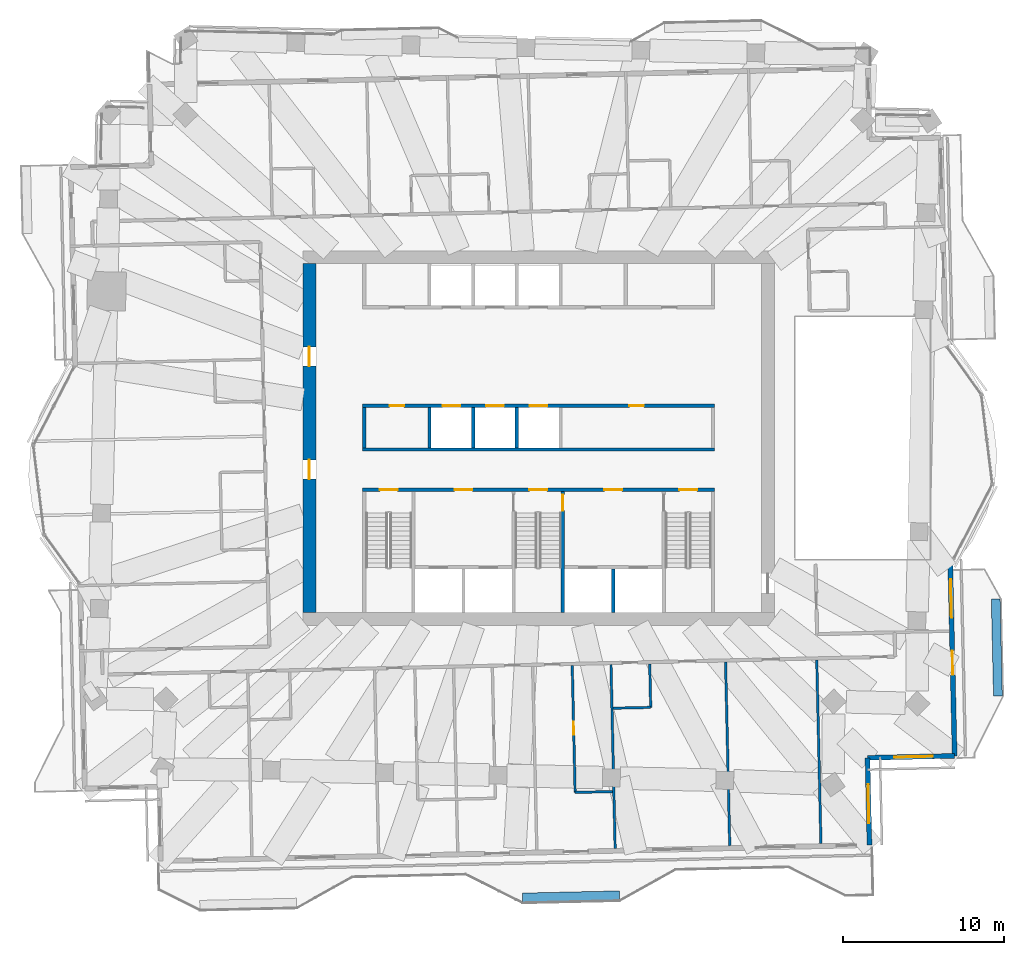
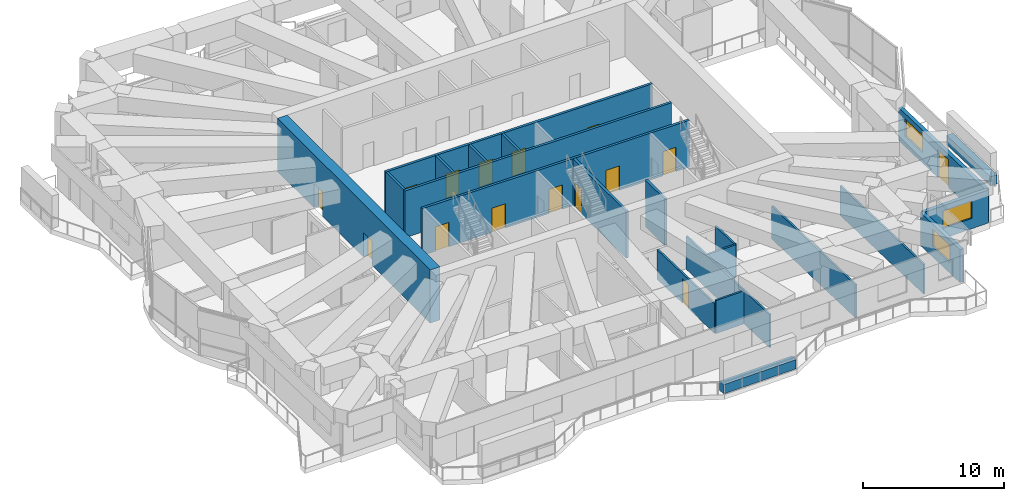
# One storey, part 11 of 19: 22 walls, 15 doors, 3 windows, 18 openings.
"""IFC4 building model written with IfcOpenShell, lengths in metres."""

from ifc_helpers import new_model, si_unit, direction, frame, frame_2d, origin, place, context, subcontext, project, spatial, rectangle, extrude, material, layer, layer_set, type_object, element, fill, save


model = new_model("IFC4")

# Units and contexts
model_context = context("Model", 3, precision=1e-05, world=origin(), true_north=direction((0.0, 1.0)))
body_context = subcontext(model_context, "Body", "Model", "MODEL_VIEW")
ifc_project = project(units=[si_unit("LENGTHUNIT", "METRE"), si_unit("AREAUNIT", "SQUARE_METRE"), si_unit("VOLUMEUNIT", "CUBIC_METRE"), si_unit("PLANEANGLEUNIT", "RADIAN"), si_unit("MASSUNIT", "GRAM", prefix="KILO")], contexts=[model_context])

# Site, building, storey
site_placement = place(None, origin())
site = spatial("IfcSite", under=ifc_project, at=site_placement, CompositionType="ELEMENT")
building_placement = place(site_placement, origin())
building = spatial("IfcBuilding", under=site, at=building_placement, Name="Mangrove Gate Tower", CompositionType="ELEMENT")
storey_placement = place(building_placement, frame((0.0, 0.0, 226.5)))
storey = spatial("IfcBuildingStorey", under=building, at=storey_placement, Name="L57", CompositionType="ELEMENT", Elevation=226.5)

# Walls
ifc_material_1 = material(Name="Concrete C32/40", Category="concrete")
ifc_layer_1 = layer(ifc_material_1, 0.199951171875)
ifc_layer_set_1 = layer_set([ifc_layer_1], Name="Core room wall 200 C32/40")
wall_type_1 = type_object("IfcWallType", Name="Core room wall 200 C32/40", PredefinedType="STANDARD", material=ifc_layer_set_1)
wall_1_placement = place(storey_placement, frame((-10.800048828125, -0.60009765625, 0.0), z_axis=(0.0, 0.0, 1.0), x_axis=(0.0, 1.0, 0.0)))
element("IfcWall", 1, at=wall_1_placement, inside=storey, type_object=wall_type_1, Name="WALL-L57-CORE-19", PredefinedType="STANDARD", context=body_context, shape_type="SweptSolid", body=[
    extrude(rectangle(XDim=2.5, YDim=0.199951171875, at=frame_2d((1.25, 0.0))), origin(), (0.0, 0.0, 1.0), 4.050048828125),
])
ifc_material_2 = material(Name="Concrete C60/75", Category="concrete")
ifc_layer_2 = layer(ifc_material_2, 0.199951171875)
ifc_layer_set_2 = layer_set([ifc_layer_2], Name="Core shaft wall 200 C60/75")
wall_type_2 = type_object("IfcWallType", Name="Core shaft wall 200 C60/75", PredefinedType="SHEAR", material=ifc_layer_set_2)
wall_2_placement = place(storey_placement, frame((-10.89990234375, -0.699951171875, 0.0), z_axis=(0.0, 0.0, 1.0), x_axis=(1.0, 0.0, 0.0)))
element("IfcWall", 2, at=wall_2_placement, inside=storey, type_object=wall_type_2, Name="WALL-L57-CORE-6", PredefinedType="SHEAR", context=body_context, shape_type="SweptSolid", body=[
    extrude(rectangle(XDim=21.7998046875, YDim=0.199951171875, at=frame_2d((10.89990234375, 0.0))), origin(), (0.0, 0.0, 1.0), 4.050048828125),
])

# Wall, openings, doors
wall_3_placement = place(storey_placement, frame((-10.89990234375, 2.0, 0.0), z_axis=(0.0, 0.0, 1.0), x_axis=(1.0, 0.0, 0.0)))
wall_3 = element("IfcWall", 3, at=wall_3_placement, inside=storey, type_object=wall_type_2, Name="WALL-L57-CORE-7", PredefinedType="SHEAR", context=body_context, shape_type="SweptSolid", body=[
    extrude(rectangle(XDim=21.7998046875, YDim=0.199951171875, at=frame_2d((10.89990234375, 0.0))), origin(), (0.0, 0.0, 1.0), 4.050048828125),
])
opening_1_placement = place(wall_3_placement, frame((4.949951171875, 0.0, 0.0)))
opening_1 = element("IfcOpeningElement", 4, at=opening_1_placement, cuts=wall_3, Name="Opening LD", PredefinedType="OPENING", context=body_context, shape_type="SweptSolid", body=[
    extrude(rectangle(XDim=1.10009765625, YDim=2.10009765625, at=frame_2d((0.550048828125, 1.050048828125))), frame((0.0, 0.10986328125, 0.0), z_axis=(0.0, -1.0, 0.0), x_axis=(1.0, 0.0, 0.0)), (0.0, 0.0, 1.0), 0.219970703125),
])
opening_2_placement = place(wall_3_placement, frame((7.64990234375, 0.0, 0.0)))
opening_2 = element("IfcOpeningElement", 5, at=opening_2_placement, cuts=wall_3, Name="Opening LD", PredefinedType="OPENING", context=body_context, shape_type="SweptSolid", body=[
    extrude(rectangle(XDim=1.10009765625, YDim=2.10009765625, at=frame_2d((0.550048828125, 1.050048828125))), frame((0.0, 0.10986328125, 0.0), z_axis=(0.0, -1.0, 0.0), x_axis=(1.0, 0.0, 0.0)), (0.0, 0.0, 1.0), 0.219970703125),
])
opening_3_placement = place(wall_3_placement, frame((10.35009765625, 0.0, 0.0)))
opening_3 = element("IfcOpeningElement", 6, at=opening_3_placement, cuts=wall_3, Name="Opening LD", PredefinedType="OPENING", context=body_context, shape_type="SweptSolid", body=[
    extrude(rectangle(XDim=1.10009765625, YDim=2.10009765625, at=frame_2d((0.550048828125, 1.050048828125))), frame((0.0, 0.10986328125, 0.0), z_axis=(0.0, -1.0, 0.0), x_axis=(1.0, 0.0, 0.0)), (0.0, 0.0, 1.0), 0.219970703125),
])
opening_4_placement = place(wall_3_placement, frame((1.675048828125, 0.0, 0.0)))
opening_4 = element("IfcOpeningElement", 7, at=opening_4_placement, cuts=wall_3, Name="Opening RD", PredefinedType="OPENING", context=body_context, shape_type="SweptSolid", body=[
    extrude(rectangle(XDim=0.89990234375, YDim=2.10009765625, at=frame_2d((0.449951171875, 1.050048828125))), frame((0.0, 0.10986328125, 0.0), z_axis=(0.0, -1.0, 0.0), x_axis=(1.0, 0.0, 0.0)), (0.0, 0.0, 1.0), 0.219970703125),
])
opening_5_placement = place(wall_3_placement, frame((16.52490234375, 0.0, 0.0)))
opening_5 = element("IfcOpeningElement", 8, at=opening_5_placement, cuts=wall_3, Name="Opening KD", PredefinedType="OPENING", context=body_context, shape_type="SweptSolid", body=[
    extrude(rectangle(XDim=0.89990234375, YDim=2.10009765625, at=frame_2d((0.449951171875, 1.050048828125))), frame((0.0, 0.10986328125, 0.0), z_axis=(0.0, -1.0, 0.0), x_axis=(1.0, 0.0, 0.0)), (0.0, 0.0, 1.0), 0.219970703125),
])
ifc_material_3 = material(Name="Fire-rated steel door set", Category="steel")
door_type_1 = type_object("IfcDoorType", Name="Core room door FD30S 900x2100", OperationType="SINGLE_SWING_RIGHT", PredefinedType="DOOR", material=ifc_material_3)
door_1_placement = place(opening_5_placement, origin())
door_1 = element("IfcDoor", 9, at=door_1_placement, inside=storey, type_object=door_type_1, Name="Core room door Linen store", OperationType="SINGLE_SWING_RIGHT", OverallHeight=2.10009765625, OverallWidth=0.89990234375, PredefinedType="DOOR", context=body_context, shape_type="SweptSolid", body=[
    extrude(rectangle(XDim=0.89990234375, YDim=2.10009765625, at=frame_2d((0.449951171875, 1.050048828125))), frame((0.0, 0.02490234375, 0.0), z_axis=(0.0, -1.0, 0.0), x_axis=(1.0, 0.0, 0.0)), (0.0, 0.0, 1.0), 0.050048828125),
])
fill(opening_5, door_1)
ifc_material_4 = material(Name="Stainless steel 316", Category="steel")
door_type_2 = type_object("IfcDoorType", Name="Lift landing door 1100x2100", OperationType="SLIDING_TO_LEFT", PredefinedType="DOOR", material=ifc_material_4)
door_2_placement = place(opening_1_placement, origin())
door_2 = element("IfcDoor", 10, at=door_2_placement, inside=storey, type_object=door_type_2, Name="Landing door LD H01", OperationType="SLIDING_TO_LEFT", OverallHeight=2.10009765625, OverallWidth=1.10009765625, PredefinedType="DOOR", context=body_context, shape_type="SweptSolid", body=[
    extrude(rectangle(XDim=1.10009765625, YDim=2.10009765625, at=frame_2d((0.550048828125, 1.050048828125))), frame((0.0, 0.02490234375, 0.0), z_axis=(0.0, -1.0, 0.0), x_axis=(1.0, 0.0, 0.0)), (0.0, 0.0, 1.0), 0.050048828125),
])
fill(opening_1, door_2)
door_3_placement = place(opening_2_placement, origin())
door_3 = element("IfcDoor", 11, at=door_3_placement, inside=storey, type_object=door_type_2, Name="Landing door LD H02", OperationType="SLIDING_TO_LEFT", OverallHeight=2.10009765625, OverallWidth=1.10009765625, PredefinedType="DOOR", context=body_context, shape_type="SweptSolid", body=[
    extrude(rectangle(XDim=1.10009765625, YDim=2.10009765625, at=frame_2d((0.550048828125, 1.050048828125))), frame((0.0, 0.02490234375, 0.0), z_axis=(0.0, -1.0, 0.0), x_axis=(1.0, 0.0, 0.0)), (0.0, 0.0, 1.0), 0.050048828125),
])
fill(opening_2, door_3)
door_4_placement = place(opening_3_placement, origin())
door_4 = element("IfcDoor", 12, at=door_4_placement, inside=storey, type_object=door_type_2, Name="Landing door LD H03", OperationType="SLIDING_TO_LEFT", OverallHeight=2.10009765625, OverallWidth=1.10009765625, PredefinedType="DOOR", context=body_context, shape_type="SweptSolid", body=[
    extrude(rectangle(XDim=1.10009765625, YDim=2.10009765625, at=frame_2d((0.550048828125, 1.050048828125))), frame((0.0, 0.02490234375, 0.0), z_axis=(0.0, -1.0, 0.0), x_axis=(1.0, 0.0, 0.0)), (0.0, 0.0, 1.0), 0.050048828125),
])
fill(opening_3, door_4)
ifc_material_5 = material(Name="Fire-rated steel door set", Category="steel")
door_type_3 = type_object("IfcDoorType", Name="Riser door FD30S 900x2100", OperationType="SINGLE_SWING_LEFT", PredefinedType="DOOR", material=ifc_material_5)
door_5_placement = place(opening_4_placement, origin())
door_5 = element("IfcDoor", 13, at=door_5_placement, inside=storey, type_object=door_type_3, Name="Riser door Electrical room", OperationType="SINGLE_SWING_LEFT", OverallHeight=2.10009765625, OverallWidth=0.89990234375, PredefinedType="DOOR", context=body_context, shape_type="SweptSolid", body=[
    extrude(rectangle(XDim=0.89990234375, YDim=2.10009765625, at=frame_2d((0.449951171875, 1.050048828125))), frame((0.0, 0.02490234375, 0.0), z_axis=(0.0, -1.0, 0.0), x_axis=(1.0, 0.0, 0.0)), (0.0, 0.0, 1.0), 0.050048828125),
])
fill(opening_4, door_5)

# Walls
wall_4_placement = place(storey_placement, frame((4.625, -10.800048828125, 0.0), z_axis=(0.0, 0.0, 1.0), x_axis=(0.0, 1.0, 0.0)))
element("IfcWall", 14, at=wall_4_placement, inside=storey, type_object=wall_type_2, Name="WALL-L57-CORE-18", PredefinedType="SHEAR", context=body_context, shape_type="SweptSolid", body=[
    extrude(rectangle(XDim=2.699951171875, YDim=0.199951171875, at=frame_2d((1.35009765625, 0.0))), origin(), (0.0, 0.0, 1.0), 4.050048828125),
])
for number, where, z_axis, x_axis, name in (
    (15, (-6.75, -0.60009765625, 0.0), (0.0, 0.0, 1.0), (0.0, 1.0, 0.0), "WALL-L57-CORE-20"),
    (16, (-4.050048828125, -0.60009765625, 0.0), (0.0, 0.0, 1.0), (0.0, 1.0, 0.0), "WALL-L57-CORE-21"),
    (17, (-1.35009765625, -0.60009765625, 0.0), (0.0, 0.0, 1.0), (0.0, 1.0, 0.0), "WALL-L57-CORE-22"),
):
    element("IfcWall", number, at=place(storey_placement, frame(where, z_axis=z_axis, x_axis=x_axis)), inside=storey, type_object=wall_type_2, Name=name, PredefinedType="SHEAR", context=body_context, shape_type="SweptSolid", body=[
        extrude(rectangle(XDim=2.5, YDim=0.199951171875, at=frame_2d((1.25, 0.0))), origin(), (0.0, 0.0, 1.0), 4.050048828125),
    ])

# Wall, openings, doors
ifc_material_6 = material(Name="Concrete C60/75", Category="concrete")
ifc_layer_3 = layer(ifc_material_6, 0.199951171875)
ifc_layer_set_3 = layer_set([ifc_layer_3], Name="Core stair wall 200 C60/75")
wall_type_3 = type_object("IfcWallType", Name="Core stair wall 200 C60/75", PredefinedType="SHEAR", material=ifc_layer_set_3)
wall_5_placement = place(storey_placement, frame((-10.89990234375, -3.199951171875, 0.0), z_axis=(0.0, 0.0, 1.0), x_axis=(1.0, 0.0, 0.0)))
wall_5 = element("IfcWall", 18, at=wall_5_placement, inside=storey, type_object=wall_type_3, Name="WALL-L57-CORE-5", PredefinedType="SHEAR", context=body_context, shape_type="SweptSolid", body=[
    extrude(rectangle(XDim=21.7998046875, YDim=0.199951171875, at=frame_2d((10.89990234375, 0.0))), origin(), (0.0, 0.0, 1.0), 4.050048828125),
])
opening_6_placement = place(wall_5_placement, frame((1.074951171875, 0.0, 0.0)))
opening_6 = element("IfcOpeningElement", 19, at=opening_6_placement, cuts=wall_5, Name="Opening STD11", PredefinedType="OPENING", context=body_context, shape_type="SweptSolid", body=[
    extrude(rectangle(XDim=1.10009765625, YDim=2.10009765625, at=frame_2d((0.550048828125, 1.050048828125))), frame((0.0, 0.10986328125, 0.0), z_axis=(0.0, -1.0, 0.0), x_axis=(1.0, 0.0, 0.0)), (0.0, 0.0, 1.0), 0.219970703125),
])
opening_7_placement = place(wall_5_placement, frame((10.324951171875, 0.0, 0.0)))
opening_7 = element("IfcOpeningElement", 20, at=opening_7_placement, cuts=wall_5, Name="Opening STD11", PredefinedType="OPENING", context=body_context, shape_type="SweptSolid", body=[
    extrude(rectangle(XDim=1.10009765625, YDim=2.10009765625, at=frame_2d((0.550048828125, 1.050048828125))), frame((0.0, 0.10986328125, 0.0), z_axis=(0.0, -1.0, 0.0), x_axis=(1.0, 0.0, 0.0)), (0.0, 0.0, 1.0), 0.219970703125),
])
opening_8_placement = place(wall_5_placement, frame((19.625, 0.0, 0.0)))
opening_8 = element("IfcOpeningElement", 21, at=opening_8_placement, cuts=wall_5, Name="Opening STD11", PredefinedType="OPENING", context=body_context, shape_type="SweptSolid", body=[
    extrude(rectangle(XDim=1.10009765625, YDim=2.10009765625, at=frame_2d((0.550048828125, 1.050048828125))), frame((0.0, 0.10986328125, 0.0), z_axis=(0.0, -1.0, 0.0), x_axis=(1.0, 0.0, 0.0)), (0.0, 0.0, 1.0), 0.219970703125),
])
opening_9_placement = place(wall_5_placement, frame((5.699951171875, 0.0, 0.0)))
opening_9 = element("IfcOpeningElement", 22, at=opening_9_placement, cuts=wall_5, Name="Opening FL", PredefinedType="OPENING", context=body_context, shape_type="SweptSolid", body=[
    extrude(rectangle(XDim=1.10009765625, YDim=2.10009765625, at=frame_2d((0.550048828125, 1.050048828125))), frame((0.0, 0.10986328125, 0.0), z_axis=(0.0, -1.0, 0.0), x_axis=(1.0, 0.0, 0.0)), (0.0, 0.0, 1.0), 0.219970703125),
])
opening_10_placement = place(wall_5_placement, frame((14.97509765625, 0.0, 0.0)))
opening_10 = element("IfcOpeningElement", 23, at=opening_10_placement, cuts=wall_5, Name="Opening FL", PredefinedType="OPENING", context=body_context, shape_type="SweptSolid", body=[
    extrude(rectangle(XDim=1.10009765625, YDim=2.10009765625, at=frame_2d((0.550048828125, 1.050048828125))), frame((0.0, 0.10986328125, 0.0), z_axis=(0.0, -1.0, 0.0), x_axis=(1.0, 0.0, 0.0)), (0.0, 0.0, 1.0), 0.219970703125),
])
ifc_material_7 = material(Name="Fire-rated steel door set", Category="steel")
door_type_4 = type_object("IfcDoorType", Name="Lobby door FD60 1100x2100", OperationType="SINGLE_SWING_LEFT", PredefinedType="DOOR", material=ifc_material_7)
door_6_placement = place(opening_9_placement, origin())
door_6 = element("IfcDoor", 24, at=door_6_placement, inside=storey, type_object=door_type_4, Name="Lobby door service lobby", OperationType="SINGLE_SWING_LEFT", OverallHeight=2.10009765625, OverallWidth=1.10009765625, PredefinedType="DOOR", context=body_context, shape_type="SweptSolid", body=[
    extrude(rectangle(XDim=1.10009765625, YDim=2.10009765625, at=frame_2d((0.550048828125, 1.050048828125))), frame((0.0, 0.02490234375, 0.0), z_axis=(0.0, -1.0, 0.0), x_axis=(1.0, 0.0, 0.0)), (0.0, 0.0, 1.0), 0.050048828125),
])
fill(opening_9, door_6)
door_7_placement = place(opening_10_placement, origin())
door_7 = element("IfcDoor", 25, at=door_7_placement, inside=storey, type_object=door_type_4, Name="Lobby door fire-fighting lobby", OperationType="SINGLE_SWING_LEFT", OverallHeight=2.10009765625, OverallWidth=1.10009765625, PredefinedType="DOOR", context=body_context, shape_type="SweptSolid", body=[
    extrude(rectangle(XDim=1.10009765625, YDim=2.10009765625, at=frame_2d((0.550048828125, 1.050048828125))), frame((0.0, 0.02490234375, 0.0), z_axis=(0.0, -1.0, 0.0), x_axis=(1.0, 0.0, 0.0)), (0.0, 0.0, 1.0), 0.050048828125),
])
fill(opening_10, door_7)
ifc_material_8 = material(Name="Fire-rated steel door set", Category="steel")
door_type_5 = type_object("IfcDoorType", Name="Stair door FD60 1100x2100", OperationType="SINGLE_SWING_RIGHT", PredefinedType="DOOR", material=ifc_material_8)
door_8_placement = place(opening_6_placement, origin())
door_8 = element("IfcDoor", 26, at=door_8_placement, inside=storey, type_object=door_type_5, Name="Stair door Stair 1", OperationType="SINGLE_SWING_RIGHT", OverallHeight=2.10009765625, OverallWidth=1.10009765625, PredefinedType="DOOR", context=body_context, shape_type="SweptSolid", body=[
    extrude(rectangle(XDim=1.10009765625, YDim=2.10009765625, at=frame_2d((0.550048828125, 1.050048828125))), frame((0.0, 0.02490234375, 0.0), z_axis=(0.0, -1.0, 0.0), x_axis=(1.0, 0.0, 0.0)), (0.0, 0.0, 1.0), 0.050048828125),
])
fill(opening_6, door_8)
door_9_placement = place(opening_7_placement, origin())
door_9 = element("IfcDoor", 27, at=door_9_placement, inside=storey, type_object=door_type_5, Name="Stair door Stair 2", OperationType="SINGLE_SWING_RIGHT", OverallHeight=2.10009765625, OverallWidth=1.10009765625, PredefinedType="DOOR", context=body_context, shape_type="SweptSolid", body=[
    extrude(rectangle(XDim=1.10009765625, YDim=2.10009765625, at=frame_2d((0.550048828125, 1.050048828125))), frame((0.0, 0.02490234375, 0.0), z_axis=(0.0, -1.0, 0.0), x_axis=(1.0, 0.0, 0.0)), (0.0, 0.0, 1.0), 0.050048828125),
])
fill(opening_7, door_9)
door_10_placement = place(opening_8_placement, origin())
door_10 = element("IfcDoor", 28, at=door_10_placement, inside=storey, type_object=door_type_5, Name="Stair door Stair 3", OperationType="SINGLE_SWING_RIGHT", OverallHeight=2.10009765625, OverallWidth=1.10009765625, PredefinedType="DOOR", context=body_context, shape_type="SweptSolid", body=[
    extrude(rectangle(XDim=1.10009765625, YDim=2.10009765625, at=frame_2d((0.550048828125, 1.050048828125))), frame((0.0, 0.02490234375, 0.0), z_axis=(0.0, -1.0, 0.0), x_axis=(1.0, 0.0, 0.0)), (0.0, 0.0, 1.0), 0.050048828125),
])
fill(opening_8, door_10)

# Wall, opening, door
wall_6_placement = place(storey_placement, frame((1.5, -10.800048828125, 0.0), z_axis=(0.0, 0.0, 1.0), x_axis=(0.0, 1.0, 0.0)))
wall_6 = element("IfcWall", 29, at=wall_6_placement, inside=storey, type_object=wall_type_3, Name="WALL-L57-CORE-12", PredefinedType="SHEAR", context=body_context, shape_type="SweptSolid", body=[
    extrude(rectangle(XDim=7.5, YDim=0.199951171875, at=frame_2d((3.75, 0.0))), origin(), (0.0, 0.0, 1.0), 4.050048828125),
])
opening_11_placement = place(wall_6_placement, frame((6.300048828125, 0.0, 0.0)))
opening_11 = element("IfcOpeningElement", 30, at=opening_11_placement, cuts=wall_6, Name="Opening STD10", PredefinedType="OPENING", context=body_context, shape_type="SweptSolid", body=[
    extrude(rectangle(XDim=1.0, YDim=2.10009765625, at=frame_2d((0.5, 1.050048828125))), frame((0.0, 0.10986328125, 0.0), z_axis=(0.0, -1.0, 0.0), x_axis=(1.0, 0.0, 0.0)), (0.0, 0.0, 1.0), 0.219970703125),
])
ifc_material_9 = material(Name="Fire-rated steel door set", Category="steel")
door_type_6 = type_object("IfcDoorType", Name="Stair door FD60 1000x2100", OperationType="SINGLE_SWING_RIGHT", PredefinedType="DOOR", material=ifc_material_9)
door_11_placement = place(opening_11_placement, origin())
door_11 = element("IfcDoor", 31, at=door_11_placement, inside=storey, type_object=door_type_6, Name="Stair door Stair 2 from fire-fighting lobby", OperationType="SINGLE_SWING_RIGHT", OverallHeight=2.10009765625, OverallWidth=1.0, PredefinedType="DOOR", context=body_context, shape_type="SweptSolid", body=[
    extrude(rectangle(XDim=1.0, YDim=2.10009765625, at=frame_2d((0.5, 1.050048828125))), frame((0.0, 0.02490234375, 0.0), z_axis=(0.0, -1.0, 0.0), x_axis=(1.0, 0.0, 0.0)), (0.0, 0.0, 1.0), 0.050048828125),
])
fill(opening_11, door_11)

# Wall, openings, doors
ifc_material_10 = material(Name="Concrete C60/75", Category="concrete")
ifc_layer_4 = layer(ifc_material_10, 0.800048828125)
ifc_layer_set_4 = layer_set([ifc_layer_4], Name="Core wall 800 C60/75")
wall_type_4 = type_object("IfcWallType", Name="Core wall 800 C60/75", PredefinedType="SHEAR", material=ifc_layer_set_4)
wall_7_placement = place(storey_placement, frame((-14.199951171875, -10.800048828125, 0.0), z_axis=(0.0, 0.0, 1.0), x_axis=(0.0, 1.0, 0.0)))
wall_7 = element("IfcWall", 32, at=wall_7_placement, inside=storey, type_object=wall_type_4, Name="WALL-L57-CORE-3", PredefinedType="SHEAR", context=body_context, shape_type="SweptSolid", body=[
    extrude(rectangle(XDim=21.60009765625, YDim=0.800048828125, at=frame_2d((10.800048828125, 0.0))), origin(), (0.0, 0.0, 1.0), 4.60009765625),
])
opening_12_placement = place(wall_7_placement, frame((8.25, 0.0, 0.0)))
opening_12 = element("IfcOpeningElement", 33, at=opening_12_placement, cuts=wall_7, Name="Opening CD", PredefinedType="OPENING", context=body_context, shape_type="SweptSolid", body=[
    extrude(rectangle(XDim=1.199951171875, YDim=2.10009765625, at=frame_2d((0.60009765625, 1.050048828125))), frame((0.0, 0.409912109375, 0.0), z_axis=(0.0, -1.0, 0.0), x_axis=(1.0, 0.0, 0.0)), (0.0, 0.0, 1.0), 0.820068359375),
])
opening_13_placement = place(wall_7_placement, frame((15.25, 0.0, 0.0)))
opening_13 = element("IfcOpeningElement", 34, at=opening_13_placement, cuts=wall_7, Name="Opening CD", PredefinedType="OPENING", context=body_context, shape_type="SweptSolid", body=[
    extrude(rectangle(XDim=1.199951171875, YDim=2.10009765625, at=frame_2d((0.60009765625, 1.050048828125))), frame((0.0, 0.409912109375, 0.0), z_axis=(0.0, -1.0, 0.0), x_axis=(1.0, 0.0, 0.0)), (0.0, 0.0, 1.0), 0.820068359375),
])
ifc_material_11 = material(Name="Fire-rated steel door set", Category="steel")
door_type_7 = type_object("IfcDoorType", Name="Core ring door FD60 1200x2100", OperationType="DOUBLE_DOOR_SINGLE_SWING", PredefinedType="DOOR", material=ifc_material_11)
door_12_placement = place(opening_12_placement, origin())
door_12 = element("IfcDoor", 35, at=door_12_placement, inside=storey, type_object=door_type_7, Name="Core ring door W1", OperationType="DOUBLE_DOOR_SINGLE_SWING", OverallHeight=2.10009765625, OverallWidth=1.199951171875, PredefinedType="DOOR", context=body_context, shape_type="SweptSolid", body=[
    extrude(rectangle(XDim=1.199951171875, YDim=2.10009765625, at=frame_2d((0.60009765625, 1.050048828125))), frame((0.0, 0.02490234375, 0.0), z_axis=(0.0, -1.0, 0.0), x_axis=(1.0, 0.0, 0.0)), (0.0, 0.0, 1.0), 0.050048828125),
])
fill(opening_12, door_12)
door_13_placement = place(opening_13_placement, origin())
door_13 = element("IfcDoor", 36, at=door_13_placement, inside=storey, type_object=door_type_7, Name="Core ring door W2", OperationType="DOUBLE_DOOR_SINGLE_SWING", OverallHeight=2.10009765625, OverallWidth=1.199951171875, PredefinedType="DOOR", context=body_context, shape_type="SweptSolid", body=[
    extrude(rectangle(XDim=1.199951171875, YDim=2.10009765625, at=frame_2d((0.60009765625, 1.050048828125))), frame((0.0, 0.02490234375, 0.0), z_axis=(0.0, -1.0, 0.0), x_axis=(1.0, 0.0, 0.0)), (0.0, 0.0, 1.0), 0.050048828125),
])
fill(opening_13, door_13)

# Wall, openings, door, window
ifc_material_12 = material(Name="Limestone", Category="masonry")
ifc_layer_5 = layer(ifc_material_12, 0.0400390625, Name="Limestone cladding")
ifc_material_13 = material(Name="Ventilated air gap")
ifc_layer_6 = layer(ifc_material_13, 0.0400390625, Name="Ventilated cavity")
ifc_material_14 = material(Name="Mineral wool insulation")
ifc_layer_7 = layer(ifc_material_14, 0.06005859375, Name="Insulation")
ifc_material_15 = material(Name="Breather membrane")
ifc_layer_8 = layer(ifc_material_15, 0.001953125, Name="Breather membrane")
ifc_material_16 = material(Name="Concrete C20/25 blockwork", Category="masonry")
ifc_layer_9 = layer(ifc_material_16, 0.14990234375, Name="Blockwork backing wall")
ifc_material_17 = material(Name="Gypsum plaster")
ifc_layer_10 = layer(ifc_material_17, 0.008056640625, Name="Internal plaster")
ifc_layer_set_5 = layer_set([ifc_layer_5, ifc_layer_6, ifc_layer_7, ifc_layer_8, ifc_layer_9, ifc_layer_10], Name="External wall 300 limestone cladding")
wall_type_5 = type_object("IfcWallType", Name="External wall 300 limestone cladding", PredefinedType="SOLIDWALL", material=ifc_layer_set_5)
wall_8_placement = place(storey_placement, frame((25.77001953125, -19.68408203125, 0.0), z_axis=(0.0, 0.0, 1.0), x_axis=(-0.022659525999, 0.999743239978, 0.0)))
wall_8 = element("IfcWall", 37, at=wall_8_placement, inside=storey, type_object=wall_type_5, Name="WALL-L57-E0", PredefinedType="SOLIDWALL", context=body_context, shape_type="SweptSolid", body=[
    extrude(rectangle(XDim=11.830078125, YDim=0.300048828125, at=frame_2d((5.9150390625, 0.0))), origin(), (0.0, 0.0, 1.0), 2.85009765625),
])
opening_14_placement = place(wall_8_placement, frame((5.02197265625, 0.0, 0.0)))
opening_14 = element("IfcOpeningElement", 38, at=opening_14_placement, cuts=wall_8, Name="Opening BD1", PredefinedType="OPENING", context=body_context, shape_type="SweptSolid", body=[
    extrude(rectangle(XDim=1.5, YDim=2.39990234375, at=frame_2d((0.75, 1.199951171875))), frame((0.0, 0.159912109375, 0.0), z_axis=(0.0, -1.0, 0.0), x_axis=(1.0, 0.0, 0.0)), (0.0, 0.0, 1.0), 0.320068359375),
])
opening_15_placement = place(wall_8_placement, frame((8.550048828125, 0.0, 0.89990234375)))
opening_15 = element("IfcOpeningElement", 39, at=opening_15_placement, cuts=wall_8, Name="Opening W2", PredefinedType="OPENING", context=body_context, shape_type="SweptSolid", body=[
    extrude(rectangle(XDim=2.39990234375, YDim=1.5, at=frame_2d((1.199951171875, 0.75))), frame((0.0, 0.159912109375, 0.0), z_axis=(0.0, -1.0, 0.0), x_axis=(1.0, 0.0, 0.0)), (0.0, 0.0, 1.0), 0.320068359375),
])
ifc_material_18 = material(Name="Aluminium frame with laminated clear glass", Category="aluminium")
door_type_8 = type_object("IfcDoorType", Name="Balcony sliding door 1500x2400", OperationType="SLIDING_TO_LEFT", PredefinedType="DOOR", material=ifc_material_18)
door_14_placement = place(opening_14_placement, origin())
door_14 = element("IfcDoor", 40, at=door_14_placement, inside=storey, type_object=door_type_8, Name="DOOR-L57-E0-1", OperationType="SLIDING_TO_LEFT", OverallHeight=2.39990234375, OverallWidth=1.5, PredefinedType="DOOR", context=body_context, shape_type="SweptSolid", body=[
    extrude(rectangle(XDim=1.5, YDim=2.39990234375, at=frame_2d((0.75, 1.199951171875))), frame((0.0, 0.02490234375, 0.0), z_axis=(0.0, -1.0, 0.0), x_axis=(1.0, 0.0, 0.0)), (0.0, 0.0, 1.0), 0.050048828125),
])
fill(opening_14, door_14)
ifc_material_19 = material(Name="Aluminium frame with double-glazed low-e glass", Category="aluminium")
window_type = type_object("IfcWindowType", Name="Corner room window 2400x1500", PartitioningType="DOUBLE_PANEL_VERTICAL", PredefinedType="WINDOW", material=ifc_material_19)
window_1_placement = place(opening_15_placement, origin())
window_1 = element("IfcWindow", 41, at=window_1_placement, inside=storey, type_object=window_type, Name="WIN-L57-E0-2", OverallHeight=1.5, OverallWidth=2.39990234375, PartitioningType="DOUBLE_PANEL_VERTICAL", PredefinedType="WINDOW", context=body_context, shape_type="SweptSolid", body=[
    extrude(rectangle(XDim=2.39990234375, YDim=1.5, at=frame_2d((1.199951171875, 0.75))), frame((0.0, 0.030029296875, 0.0), z_axis=(0.0, -1.0, 0.0), x_axis=(1.0, 0.0, 0.0)), (0.0, 0.0, 1.0), 0.06005859375),
])
fill(opening_15, window_1)

# Wall, opening, window
wall_9_placement = place(storey_placement, frame((20.493896484375, -25.205078125, 0.0), z_axis=(0.0, 0.0, 1.0), x_axis=(-0.022558128916, 0.999745533033, 0.0)))
wall_9 = element("IfcWall", 42, at=wall_9_placement, inside=storey, type_object=wall_type_5, Name="WALL-L57-E14", PredefinedType="SOLIDWALL", context=body_context, shape_type="SweptSolid", body=[
    extrude(rectangle(XDim=5.400634765625, YDim=0.300048828125, at=frame_2d((2.7001953125, 0.0))), origin(), (0.0, 0.0, 1.0), 2.85009765625),
])
opening_16_placement = place(wall_9_placement, frame((1.35009765625, 0.0, 0.89990234375)))
opening_16 = element("IfcOpeningElement", 43, at=opening_16_placement, cuts=wall_9, Name="Opening W2", PredefinedType="OPENING", context=body_context, shape_type="SweptSolid", body=[
    extrude(rectangle(XDim=2.39990234375, YDim=1.5, at=frame_2d((1.199951171875, 0.75))), frame((0.0, 0.159912109375, 0.0), z_axis=(0.0, -1.0, 0.0), x_axis=(1.0, 0.0, 0.0)), (0.0, 0.0, 1.0), 0.320068359375),
])
window_2_placement = place(opening_16_placement, origin())
window_2 = element("IfcWindow", 44, at=window_2_placement, inside=storey, type_object=window_type, Name="WIN-L57-E14-1", OverallHeight=1.5, OverallWidth=2.39990234375, PartitioningType="DOUBLE_PANEL_VERTICAL", PredefinedType="WINDOW", context=body_context, shape_type="SweptSolid", body=[
    extrude(rectangle(XDim=2.39990234375, YDim=1.5, at=frame_2d((1.199951171875, 0.75))), frame((0.0, 0.030029296875, 0.0), z_axis=(0.0, -1.0, 0.0), x_axis=(1.0, 0.0, 0.0)), (0.0, 0.0, 1.0), 0.06005859375),
])
fill(opening_16, window_2)

wall_10_placement = place(storey_placement, frame((20.3720703125, -19.805908203125, 0.0), z_axis=(0.0, 0.0, 1.0), x_axis=(0.999745417973, 0.02256322766, 0.0)))
wall_10 = element("IfcWall", 45, at=wall_10_placement, inside=storey, type_object=wall_type_5, Name="WALL-L57-S15", PredefinedType="SOLIDWALL", context=body_context, shape_type="SweptSolid", body=[
    extrude(rectangle(XDim=5.3994140625, YDim=0.300048828125, at=frame_2d((2.69970703125, 0.0))), origin(), (0.0, 0.0, 1.0), 2.85009765625),
])
opening_17_placement = place(wall_10_placement, frame((1.64990234375, 0.0, 0.89990234375)))
opening_17 = element("IfcOpeningElement", 46, at=opening_17_placement, cuts=wall_10, Name="Opening W2", PredefinedType="OPENING", context=body_context, shape_type="SweptSolid", body=[
    extrude(rectangle(XDim=2.39990234375, YDim=1.5, at=frame_2d((1.199951171875, 0.75))), frame((0.0, 0.159912109375, 0.0), z_axis=(0.0, -1.0, 0.0), x_axis=(1.0, 0.0, 0.0)), (0.0, 0.0, 1.0), 0.320068359375),
])
window_3_placement = place(opening_17_placement, origin())
window_3 = element("IfcWindow", 47, at=window_3_placement, inside=storey, type_object=window_type, Name="WIN-L57-S15-1", OverallHeight=1.5, OverallWidth=2.39990234375, PartitioningType="DOUBLE_PANEL_VERTICAL", PredefinedType="WINDOW", context=body_context, shape_type="SweptSolid", body=[
    extrude(rectangle(XDim=2.39990234375, YDim=1.5, at=frame_2d((1.199951171875, 0.75))), frame((0.0, 0.030029296875, 0.0), z_axis=(0.0, -1.0, 0.0), x_axis=(1.0, 0.0, 0.0)), (0.0, 0.0, 1.0), 0.06005859375),
])
fill(opening_17, window_3)

# Walls
ifc_material_20 = material(Name="Gypsum board on steel stud, EI 60", Category="steel")
ifc_layer_11 = layer(ifc_material_20, 0.14990234375)
ifc_layer_set_6 = layer_set([ifc_layer_11], Name="Party wall 150 EI 60")
wall_type_6 = type_object("IfcWallType", Name="Party wall 150 EI 60", PredefinedType="PARTITIONING", material=ifc_layer_set_6)
for number, where, z_axis, x_axis, name in (
    (48, (4.740966796875, -25.412109375, 0.0), (0.0, 0.0, 1.0), (-0.022684355347, 0.999742676904, 0.0), "WALL-L57-005"),
    (49, (11.839111328125, -25.2509765625, 0.0), (0.0, 0.0, 1.0), (-0.022684355347, 0.999742676904, 0.0), "WALL-L57-006"),
):
    element("IfcWall", number, at=place(storey_placement, frame(where, z_axis=z_axis, x_axis=x_axis)), inside=storey, type_object=wall_type_6, Name=name, PredefinedType="PARTITIONING", context=body_context, shape_type="SweptSolid", body=[
        extrude(rectangle(XDim=11.3759765625, YDim=0.14990234375, at=frame_2d((5.68798828125, 0.0))), origin(), (0.0, 0.0, 1.0), 2.85009765625),
    ])
wall_11_placement = place(storey_placement, frame((17.487060546875, -25.123046875, 0.0), z_axis=(0.0, 0.0, 1.0), x_axis=(-0.022684355347, 0.999742676904, 0.0)))
element("IfcWall", 50, at=wall_11_placement, inside=storey, type_object=wall_type_6, Name="WALL-L57-007", PredefinedType="PARTITIONING", context=body_context, shape_type="SweptSolid", body=[
    extrude(rectangle(XDim=11.3759765625, YDim=0.14990234375, at=frame_2d((5.68798828125, 0.0))), origin(), (0.0, 0.0, 1.0), 2.550048828125),
])

# Wall, opening, door
wall_12_placement = place(storey_placement, frame((2.261962890625, -21.951904296875, 0.0), z_axis=(0.0, 0.0, 1.0), x_axis=(-0.022767973308, 0.999740776097, 0.0)))
wall_12 = element("IfcWall", 51, at=wall_12_placement, inside=storey, type_object=wall_type_6, Name="WALL-L57-011", PredefinedType="PARTITIONING", context=body_context, shape_type="SweptSolid", body=[
    extrude(rectangle(XDim=7.85986328125, YDim=0.14990234375, at=frame_2d((3.929931640625, 0.0))), origin(), (0.0, 0.0, 1.0), 2.550048828125),
])
opening_18_placement = place(wall_12_placement, frame((3.580078125, 0.0, 0.0)))
opening_18 = element("IfcOpeningElement", 52, at=opening_18_placement, cuts=wall_12, Name="Opening ED", PredefinedType="OPENING", context=body_context, shape_type="SweptSolid", body=[
    extrude(rectangle(XDim=0.800048828125, YDim=2.10009765625, at=frame_2d((0.39990234375, 1.050048828125))), frame((0.0, 0.0849609375, 0.0), z_axis=(0.0, -1.0, 0.0), x_axis=(1.0, 0.0, 0.0)), (0.0, 0.0, 1.0), 0.169921875),
])
ifc_material_21 = material(Name="Timber door leaf", Category="wood")
door_type_9 = type_object("IfcDoorType", Name="En-suite door 800", OperationType="SINGLE_SWING_LEFT", PredefinedType="DOOR", material=ifc_material_21)
door_15_placement = place(opening_18_placement, origin())
door_15 = element("IfcDoor", 53, at=door_15_placement, inside=storey, type_object=door_type_9, Name="DOOR-L57-ENS-c203", OperationType="SINGLE_SWING_LEFT", OverallHeight=2.10009765625, OverallWidth=0.800048828125, PredefinedType="DOOR", context=body_context, shape_type="SweptSolid", body=[
    extrude(rectangle(XDim=0.800048828125, YDim=2.10009765625, at=frame_2d((0.39990234375, 1.050048828125))), frame((0.0, 0.02490234375, 0.0), z_axis=(0.0, -1.0, 0.0), x_axis=(1.0, 0.0, 0.0)), (0.0, 0.0, 1.0), 0.050048828125),
])
fill(opening_18, door_15)

# Walls
wall_13_placement = place(storey_placement, frame((2.257080078125, -21.947998046875, 0.0), z_axis=(0.0, 0.0, 1.0), x_axis=(0.999740478815, 0.022781023197, 0.0)))
element("IfcWall", 54, at=wall_13_placement, inside=storey, type_object=wall_type_6, Name="WALL-L57-012", PredefinedType="PARTITIONING", context=body_context, shape_type="SweptSolid", body=[
    extrude(rectangle(XDim=2.325439453125, YDim=0.14990234375, at=frame_2d((1.16259765625, 0.0))), origin(), (0.0, 0.0, 1.0), 2.85009765625),
])
wall_14_placement = place(storey_placement, frame((6.943115234375, -16.68408203125, 0.0), z_axis=(0.0, 0.0, 1.0), x_axis=(-0.02260842146, 0.999744396973, 0.0)))
element("IfcWall", 55, at=wall_14_placement, inside=storey, type_object=wall_type_6, Name="WALL-L57-015", PredefinedType="PARTITIONING", context=body_context, shape_type="SweptSolid", body=[
    extrude(rectangle(XDim=2.69970703125, YDim=0.14990234375, at=frame_2d((1.349853515625, 0.0))), origin(), (0.0, 0.0, 1.0), 2.85009765625),
])
wall_15_placement = place(storey_placement, frame((4.614990234375, -16.73291015625, 0.0), z_axis=(0.0, 0.0, 1.0), x_axis=(0.999740260747, 0.02279059109, 0.0)))
element("IfcWall", 56, at=wall_15_placement, inside=storey, type_object=wall_type_6, Name="WALL-L57-016", PredefinedType="PARTITIONING", context=body_context, shape_type="SweptSolid", body=[
    extrude(rectangle(XDim=2.324462890625, YDim=0.14990234375, at=frame_2d((1.162109375, 0.0))), origin(), (0.0, 0.0, 1.0), 2.85009765625),
])
ifc_material_22 = material(Name="Concrete C32/40", Category="concrete")
ifc_layer_12 = layer(ifc_material_22, 0.199951171875, Name="Planter trough wall")
ifc_material_23 = material(Name="Bituminous waterproofing membrane")
ifc_layer_13 = layer(ifc_material_23, 0.0048828125, Name="Waterproofing")
ifc_material_24 = material(Name="Drainage board and gravel")
ifc_layer_14 = layer(ifc_material_24, 0.044921875, Name="Drainage layer")
ifc_material_25 = material(Name="Planting soil")
ifc_layer_15 = layer(ifc_material_25, 0.300048828125, Name="Growing medium")
ifc_layer_set_7 = layer_set([ifc_layer_12, ifc_layer_13, ifc_layer_14, ifc_layer_15], Name="Planter wall 550 C32/40")
wall_type_7 = type_object("IfcWallType", Name="Planter wall 550 C32/40", PredefinedType="USERDEFINED", material=ifc_layer_set_7)
wall_16_placement = place(storey_placement, frame((28.451904296875, -15.971923828125, 0.0), z_axis=(0.0, 0.0, 1.0), x_axis=(-0.022662255828, 0.999743178102, 0.0)))
element("IfcWall", 57, at=wall_16_placement, inside=storey, type_object=wall_type_7, Name="PLANTER L57 E0.1", ObjectType="PLANTER", PredefinedType="USERDEFINED", context=body_context, shape_type="SweptSolid", body=[
    extrude(rectangle(XDim=6.00048828125, YDim=0.550048828125, at=frame_2d((3.000244140625, 0.0))), origin(), (0.0, 0.0, 1.0), 0.800048828125),
])
wall_17_placement = place(storey_placement, frame((-0.990966796875, -28.4580078125, 0.0), z_axis=(0.0, 0.0, 1.0), x_axis=(0.999743094499, 0.022665943652, 0.0)))
element("IfcWall", 58, at=wall_17_placement, inside=storey, type_object=wall_type_7, Name="PLANTER L57 S1.1", ObjectType="PLANTER", PredefinedType="USERDEFINED", context=body_context, shape_type="SweptSolid", body=[
    extrude(rectangle(XDim=5.99951171875, YDim=0.550048828125, at=frame_2d((2.999755859375, 0.0))), origin(), (0.0, 0.0, 1.0), 0.800048828125),
])

save(model, "model.ifc")
